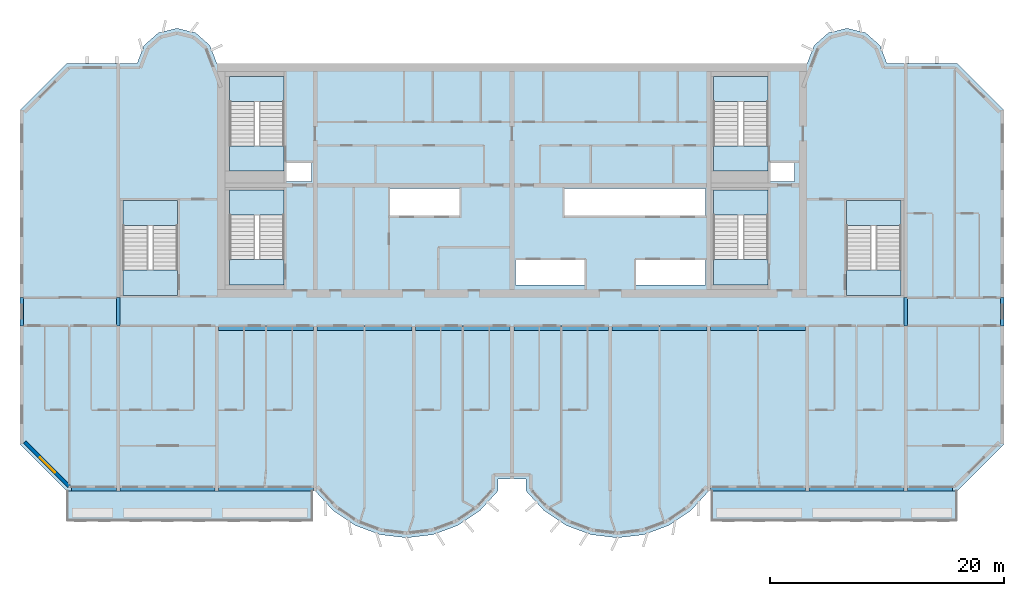
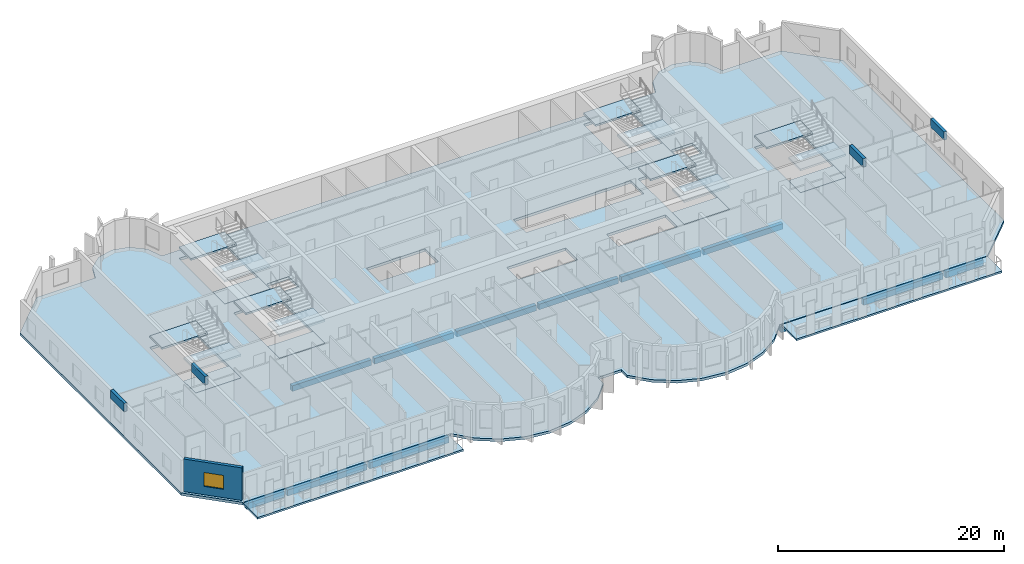
# One storey, part 1 of 13: 21 slabs, 16 beams, 1 wall, 1 window, 1 opening, 6 elements without a shape of their own.
"""IFC4 building model written with IfcOpenShell, lengths in metres."""

from ifc_helpers import new_model, si_unit, direction, frame, frame_2d, origin, origin_2d, place, context, subcontext, project, spatial, polyline, rectangle, outline, extrude, source, transform, mapped, material, layer, layer_set, material_profile, profile_set, type_object, element, fill, aggregate, save


model = new_model("IFC4")

# Units and contexts
model_context = context("Model", 3, precision=1e-05, world=origin(), true_north=direction((0.0, 1.0)))
body_context = subcontext(model_context, "Body", "Model", "MODEL_VIEW")
ifc_project = project(units=[si_unit("LENGTHUNIT", "METRE"), si_unit("AREAUNIT", "SQUARE_METRE"), si_unit("VOLUMEUNIT", "CUBIC_METRE"), si_unit("PLANEANGLEUNIT", "RADIAN"), si_unit("MASSUNIT", "GRAM", prefix="KILO")], contexts=[model_context])

# Site, building, storey
site_placement = place(None, origin())
site = spatial("IfcSite", under=ifc_project, at=site_placement, CompositionType="ELEMENT")
building_placement = place(site_placement, origin())
building = spatial("IfcBuilding", under=site, at=building_placement, Name="Vanashikhar Sky Hotel", CompositionType="ELEMENT")
storey_placement = place(building_placement, frame((0.0, 0.0, 163.0)))
storey = spatial("IfcBuildingStorey", under=building, at=storey_placement, Name="L39", CompositionType="ELEMENT", Elevation=163.0)

# Beams
ifc_material_1 = material(Name="Concrete M50", Category="concrete")
ifc_material_profile_1 = material_profile(ifc_material_1, rectangle(XDim=0.300048828125, YDim=0.89990234375, at=origin_2d()))
ifc_profile_set_1 = profile_set([ifc_material_profile_1], Name="RC 300x900 beam Concrete M50")
beam_type_1 = type_object("IfcBeamType", Name="RC 300x900 beam Concrete M50", PredefinedType="LINTEL", material=ifc_profile_set_1)
shared_shape_1 = source(origin(), body_context, "Body", "SweptSolid", [
    extrude(rectangle(XDim=0.300048828125, YDim=0.89990234375, at=origin_2d()), origin(), (0.0, 0.0, 1.0), 2.39990234375),
])
for number, where, z_axis, x_axis, name in (
    (1, (8.550048828125, 19.60009765625, 3.070068359375), (0.0, 1.0, 0.0), (-1.0, 0.0, 0.0), "LB-L39-XW02"),
    (2, (16.800048828125, 19.60009765625, 3.070068359375), (0.0, 1.0, 0.0), (-1.0, 0.0, 0.0), "LB-L39-XW03"),
    (3, (84.0, 19.60009765625, 3.070068359375), (0.0, 1.0, 0.0), (-1.0, 0.0, 0.0), "LB-L39-XW11"),
    (4, (92.25, 19.60009765625, 3.070068359375), (0.0, 1.0, 0.0), (-1.0, 0.0, 0.0), "LB-L39-XW12"),
):
    element("IfcBeam", number, at=place(storey_placement, frame(where, z_axis=z_axis, x_axis=x_axis)), inside=storey, type_object=beam_type_1, Name=name, PredefinedType="LINTEL", context=body_context, shape_type="MappedRepresentation", body=[
        mapped(shared_shape_1, transform((0.0, 0.0, 0.0), scale=1.0)),
    ])
ifc_material_profile_2 = material_profile(ifc_material_1, rectangle(XDim=0.39990234375, YDim=0.64990234375, at=origin_2d()))
ifc_profile_set_2 = profile_set([ifc_material_profile_2], Name="RC 400x650 beam Concrete M50")
beam_type_2 = type_object("IfcBeamType", Name="RC 400x650 beam Concrete M50", PredefinedType="BEAM", material=ifc_profile_set_2)
shared_shape_2 = source(origin(), body_context, "Body", "SweptSolid", [
    extrude(rectangle(XDim=0.39990234375, YDim=0.64990234375, at=origin_2d()), origin(), (0.0, 0.0, 1.0), 8.10009765625),
])
for number, where, z_axis, x_axis, name in (
    (5, (16.949951171875, 5.699951171875, -0.60498046875), (1.0, 0.0, 0.0), (0.0, 1.0, 0.0), "EB-L39-F01"),
    (6, (75.75, 5.699951171875, -0.60498046875), (1.0, 0.0, 0.0), (0.0, 1.0, 0.0), "EB-L39-F05"),
):
    element("IfcBeam", number, at=place(storey_placement, frame(where, z_axis=z_axis, x_axis=x_axis)), inside=storey, type_object=beam_type_2, Name=name, PredefinedType="BEAM", context=body_context, shape_type="MappedRepresentation", body=[
        mapped(shared_shape_2, transform((0.0, 0.0, 0.0), scale=1.0)),
    ])
shared_shape_3 = source(origin(), body_context, "Body", "SweptSolid", [
    extrude(rectangle(XDim=0.39990234375, YDim=0.64990234375, at=origin_2d()), origin(), (0.0, 0.0, 1.0), 8.099853515625),
])
for number, where, z_axis, x_axis, name in (
    (7, (25.35009765625, 5.699951171875, -0.60498046875), (1.0, 0.0, 0.0), (0.0, 1.0, 0.0), "EB-L39-F02"),
    (8, (67.35009765625, 5.699951171875, -0.60498046875), (1.0, 0.0, 0.0), (0.0, 1.0, 0.0), "EB-L39-F04"),
):
    element("IfcBeam", number, at=place(storey_placement, frame(where, z_axis=z_axis, x_axis=x_axis)), inside=storey, type_object=beam_type_2, Name=name, PredefinedType="BEAM", context=body_context, shape_type="MappedRepresentation", body=[
        mapped(shared_shape_3, transform((0.0, 0.0, 0.0), scale=1.0)),
    ])
ifc_material_profile_3 = material_profile(ifc_material_1, rectangle(XDim=0.39990234375, YDim=0.64990234375, at=origin_2d()))
ifc_profile_set_3 = profile_set([ifc_material_profile_3], Name="RC 400x650 cantilever beam Concrete M50")
beam_type_3 = type_object("IfcBeamType", Name="RC 400x650 cantilever beam Concrete M50", PredefinedType="SPANDREL", material=ifc_profile_set_3)
shared_shape_4 = source(origin(), body_context, "Body", "SweptSolid", [
    extrude(rectangle(XDim=0.39990234375, YDim=0.64990234375, at=origin_2d()), origin(), (0.0, 0.0, 1.0), 3.849853515625),
])
beam_1_placement = place(storey_placement, frame((12.800048828125, 5.699951171875, -0.60498046875), z_axis=(1.0, 0.0, 0.0), x_axis=(0.0, 1.0, 0.0)))
element("IfcBeam", 9, at=beam_1_placement, inside=storey, type_object=beam_type_3, Name="EB-L39-F03", PredefinedType="SPANDREL", context=body_context, shape_type="MappedRepresentation", body=[
    mapped(shared_shape_4, transform((0.0, 0.0, 0.0), scale=1.0)),
])
shared_shape_5 = source(origin(), body_context, "Body", "SweptSolid", [
    extrude(rectangle(XDim=0.39990234375, YDim=0.64990234375, at=origin_2d()), origin(), (0.0, 0.0, 1.0), 3.85009765625),
])
beam_2_placement = place(storey_placement, frame((84.14990234375, 5.699951171875, -0.60498046875), z_axis=(1.0, 0.0, 0.0), x_axis=(0.0, 1.0, 0.0)))
element("IfcBeam", 10, at=beam_2_placement, inside=storey, type_object=beam_type_3, Name="EB-L39-F06", PredefinedType="SPANDREL", context=body_context, shape_type="MappedRepresentation", body=[
    mapped(shared_shape_5, transform((0.0, 0.0, 0.0), scale=1.0)),
])
ifc_material_profile_4 = material_profile(ifc_material_1, rectangle(XDim=0.39990234375, YDim=0.60009765625, at=origin_2d()))
ifc_profile_set_4 = profile_set([ifc_material_profile_4], Name="RC 400x600 beam Concrete M50")
beam_type_4 = type_object("IfcBeamType", Name="RC 400x600 beam Concrete M50", PredefinedType="BEAM", material=ifc_profile_set_4)
shared_shape_6 = source(origin(), body_context, "Body", "SweptSolid", [
    extrude(rectangle(XDim=0.39990234375, YDim=0.60009765625, at=origin_2d()), origin(), (0.0, 0.0, 1.0), 8.099853515625),
])
for number, where, z_axis, x_axis, name in (
    (11, (25.35009765625, 19.39990234375, -0.580078125), (1.0, 0.0, 0.0), (0.0, 1.0, 0.0), "CB-L39-01"),
    (12, (50.550048828125, 19.39990234375, -0.580078125), (1.0, 0.0, 0.0), (0.0, 1.0, 0.0), "CB-L39-04"),
    (13, (67.35009765625, 19.39990234375, -0.580078125), (1.0, 0.0, 0.0), (0.0, 1.0, 0.0), "CB-L39-06"),
):
    element("IfcBeam", number, at=place(storey_placement, frame(where, z_axis=z_axis, x_axis=x_axis)), inside=storey, type_object=beam_type_4, Name=name, PredefinedType="BEAM", context=body_context, shape_type="MappedRepresentation", body=[
        mapped(shared_shape_6, transform((0.0, 0.0, 0.0), scale=1.0)),
    ])
shared_shape_7 = source(origin(), body_context, "Body", "SweptSolid", [
    extrude(rectangle(XDim=0.39990234375, YDim=0.60009765625, at=origin_2d()), origin(), (0.0, 0.0, 1.0), 8.10009765625),
])
for number, where, z_axis, x_axis, name in (
    (14, (33.75, 19.39990234375, -0.580078125), (1.0, 0.0, 0.0), (0.0, 1.0, 0.0), "CB-L39-02"),
    (15, (42.14990234375, 19.39990234375, -0.580078125), (1.0, 0.0, 0.0), (0.0, 1.0, 0.0), "CB-L39-03"),
    (16, (58.949951171875, 19.39990234375, -0.580078125), (1.0, 0.0, 0.0), (0.0, 1.0, 0.0), "CB-L39-05"),
):
    element("IfcBeam", number, at=place(storey_placement, frame(where, z_axis=z_axis, x_axis=x_axis)), inside=storey, type_object=beam_type_4, Name=name, PredefinedType="BEAM", context=body_context, shape_type="MappedRepresentation", body=[
        mapped(shared_shape_7, transform((0.0, 0.0, 0.0), scale=1.0)),
    ])

# Slabs
ifc_material_2 = material(Name="Concrete M40", Category="concrete")
ifc_layer_1 = layer(ifc_material_2, 0.280029296875)
ifc_layer_set_1 = layer_set([ifc_layer_1], Name="Floor slab 280 mm")
slab_type_1 = type_object("IfcSlabType", Name="Floor slab 280 mm", PredefinedType="FLOOR", material=ifc_layer_set_1)
shared_shape_8 = source(origin(), body_context, "Body", "SweptSolid", [
    extrude(outline(polyline([(49.199951171875, 5.5), (49.199951171875, 6.5), (51.60009765625, 6.5), (51.60009765625, 5.5), (53.133056640625, 3.825927734375), (55.01708984375, 2.55810546875), (57.14599609375, 1.76806640625), (59.39990234375, 1.5), (61.654052734375, 1.76806640625), (63.782958984375, 2.55810546875), (65.6669921875, 3.825927734375), (67.199951171875, 5.5), (88.39990234375, 5.5), (92.39990234375, 9.5), (92.39990234375, 38.0), (88.39990234375, 42.0), (82.39990234375, 42.0), (81.81494140625, 43.527099609375), (80.587890625, 44.610107421875), (79.0, 45.0), (77.412109375, 44.610107421875), (76.18505859375, 43.527099609375), (75.60009765625, 42.0), (25.199951171875, 42.0), (24.614990234375, 43.527099609375), (23.387939453125, 44.610107421875), (21.800048828125, 45.0), (20.2119140625, 44.610107421875), (18.985107421875, 43.527099609375), (18.39990234375, 42.0), (12.39990234375, 42.0), (8.39990234375, 38.0), (8.39990234375, 9.5), (12.39990234375, 5.5), (33.60009765625, 5.5), (35.133056640625, 3.825927734375), (37.01708984375, 2.55810546875), (39.14599609375, 1.76806640625), (41.39990234375, 1.5), (43.654052734375, 1.76806640625), (45.782958984375, 2.55810546875), (47.6669921875, 3.825927734375), (49.199951171875, 5.5)]), holes=[polyline([(33.300048828125, 33.60009765625), (31.050048828125, 33.60009765625), (31.050048828125, 31.89990234375), (33.300048828125, 31.89990234375), (33.300048828125, 33.60009765625)]), polyline([(39.89990234375, 31.300048828125), (39.89990234375, 29.0), (45.89990234375, 29.0), (45.89990234375, 31.300048828125), (39.89990234375, 31.300048828125)]), polyline([(50.699951171875, 25.199951171875), (50.699951171875, 23.10009765625), (56.699951171875, 23.10009765625), (56.699951171875, 25.199951171875), (50.699951171875, 25.199951171875)]), polyline([(66.89990234375, 29.0), (66.89990234375, 31.300048828125), (54.89990234375, 31.300048828125), (54.89990234375, 29.0), (66.89990234375, 29.0)]), polyline([(60.89990234375, 25.199951171875), (60.89990234375, 23.10009765625), (66.89990234375, 23.10009765625), (66.89990234375, 25.199951171875), (60.89990234375, 25.199951171875)]), polyline([(74.5, 33.60009765625), (72.35009765625, 33.60009765625), (72.35009765625, 31.89990234375), (74.5, 31.89990234375), (74.5, 33.60009765625)]), polyline([(30.949951171875, 23.10009765625), (30.949951171875, 31.199951171875), (26.300048828125, 31.199951171875), (26.300048828125, 23.10009765625), (30.949951171875, 23.10009765625)]), polyline([(72.25, 23.10009765625), (72.25, 31.199951171875), (67.60009765625, 31.199951171875), (67.60009765625, 23.10009765625), (72.25, 23.10009765625)]), polyline([(30.949951171875, 32.800048828125), (30.949951171875, 40.89990234375), (26.300048828125, 40.89990234375), (26.300048828125, 32.800048828125), (30.949951171875, 32.800048828125)]), polyline([(72.25, 32.800048828125), (72.25, 40.89990234375), (67.60009765625, 40.89990234375), (67.60009765625, 32.800048828125), (72.25, 32.800048828125)]), polyline([(83.60009765625, 22.199951171875), (83.60009765625, 30.300048828125), (78.949951171875, 30.300048828125), (78.949951171875, 22.199951171875), (83.60009765625, 22.199951171875)]), polyline([(21.85009765625, 22.199951171875), (21.85009765625, 30.300048828125), (17.199951171875, 30.300048828125), (17.199951171875, 22.199951171875), (21.85009765625, 22.199951171875)])]), origin(), (0.0, 0.0, 1.0), 0.280029296875),
])
slab_1_placement = place(storey_placement, frame((0.0, 0.0, -0.280029296875)))
element("IfcSlab", 17, at=slab_1_placement, inside=storey, type_object=slab_type_1, Name="Floor slab L39", PredefinedType="FLOOR", context=body_context, shape_type="MappedRepresentation", body=[
    mapped(shared_shape_8, transform((0.0, 0.0, 0.0), scale=1.0)),
])
ifc_layer_2 = layer(ifc_material_2, 0.199951171875)
ifc_layer_set_2 = layer_set([ifc_layer_2], Name="Balcony slab 200 mm")
slab_type_2 = type_object("IfcSlabType", Name="Balcony slab 200 mm", PredefinedType="USERDEFINED", material=ifc_layer_set_2)
shared_shape_9 = source(origin(), body_context, "Body", "SweptSolid", [
    extrude(outline(polyline([(12.39990234375, 2.89990234375), (33.39990234375, 2.89990234375), (33.39990234375, 5.5), (12.39990234375, 5.5), (12.39990234375, 2.89990234375)])), origin(), (0.0, 0.0, 1.0), 0.199951171875),
])
slab_2_placement = place(storey_placement, frame((0.0, 0.0, -0.25)))
element("IfcSlab", 18, at=slab_2_placement, inside=storey, type_object=slab_type_2, Name="Balcony slab L39 1", ObjectType="BALCONY", PredefinedType="USERDEFINED", context=body_context, shape_type="MappedRepresentation", body=[
    mapped(shared_shape_9, transform((0.0, 0.0, 0.0), scale=1.0)),
])
shared_shape_10 = source(origin(), body_context, "Body", "SweptSolid", [
    extrude(outline(polyline([(67.39990234375, 2.89990234375), (88.39990234375, 2.89990234375), (88.39990234375, 5.5), (67.39990234375, 5.5), (67.39990234375, 2.89990234375)])), origin(), (0.0, 0.0, 1.0), 0.199951171875),
])
slab_3_placement = place(storey_placement, frame((0.0, 0.0, -0.25)))
element("IfcSlab", 19, at=slab_3_placement, inside=storey, type_object=slab_type_2, Name="Balcony slab L39 2", ObjectType="BALCONY", PredefinedType="USERDEFINED", context=body_context, shape_type="MappedRepresentation", body=[
    mapped(shared_shape_10, transform((0.0, 0.0, 0.0), scale=1.0)),
])

# Stair, slabs
stair_type = type_object("IfcStairType", Name="Exit stair 2150", PredefinedType="DOUBLE_RETURN_STAIR", material=ifc_material_2)
stair_1_placement = place(storey_placement, origin())
stair_1 = element("IfcStair", 20, at=stair_1_placement, inside=storey, type_object=stair_type, Name="L39 Exit stair 1", PredefinedType="DOUBLE_RETURN_STAIR")
ifc_layer_3 = layer(ifc_material_2, 0.199951171875)
ifc_layer_set_3 = layer_set([ifc_layer_3], Name="Stair landing 200")
slab_type_3 = type_object("IfcSlabType", Name="Stair landing 200", PredefinedType="LANDING", material=ifc_layer_set_3)
shared_shape_11 = source(origin(), body_context, "Body", "SweptSolid", [
    extrude(outline(polyline([(30.949951171875, 29.050048828125), (30.949951171875, 31.199951171875), (26.300048828125, 31.199951171875), (26.300048828125, 29.050048828125), (30.949951171875, 29.050048828125)])), origin(), (0.0, 0.0, 1.0), 0.199951171875),
])
slab_4_placement = place(storey_placement, frame((0.0, 0.0, 1.066650390625)))
slab_4 = element("IfcSlab", 21, at=slab_4_placement, type_object=slab_type_3, Name="ST-C1 landing 1", PredefinedType="LANDING", context=body_context, shape_type="MappedRepresentation", body=[
    mapped(shared_shape_11, transform((0.0, 0.0, 0.0), scale=1.0)),
])
shared_shape_12 = source(origin(), body_context, "Body", "SweptSolid", [
    extrude(outline(polyline([(30.949951171875, 23.10009765625), (30.949951171875, 25.25), (26.300048828125, 25.25), (26.300048828125, 23.10009765625), (30.949951171875, 23.10009765625)])), origin(), (0.0, 0.0, 1.0), 0.2001953125),
])
slab_5_placement = place(storey_placement, frame((0.0, 0.0, 2.333251953125)))
slab_5 = element("IfcSlab", 22, at=slab_5_placement, type_object=slab_type_3, Name="ST-C1 landing 2", PredefinedType="LANDING", context=body_context, shape_type="MappedRepresentation", body=[
    mapped(shared_shape_12, transform((0.0, 0.0, 0.0), scale=1.0)),
])
aggregate(stair_1, [slab_4, slab_5])

# Slab
ifc_layer_4 = layer(ifc_material_2, 0.280029296875)
ifc_layer_set_4 = layer_set([ifc_layer_4], Name="Stair floor landing 280")
slab_type_4 = type_object("IfcSlabType", Name="Stair floor landing 280", PredefinedType="LANDING", material=ifc_layer_set_4)
shared_shape_13 = source(origin(), body_context, "Body", "SweptSolid", [
    extrude(outline(polyline([(30.949951171875, 23.10009765625), (30.949951171875, 25.25), (26.300048828125, 25.25), (26.300048828125, 23.10009765625), (30.949951171875, 23.10009765625)])), origin(), (0.0, 0.0, 1.0), 0.280029296875),
])
slab_6_placement = place(storey_placement, frame((0.0, 0.0, -0.280029296875)))
element("IfcSlab", 23, at=slab_6_placement, inside=storey, type_object=slab_type_4, Name="Exit stair 1 floor landing", PredefinedType="LANDING", context=body_context, shape_type="MappedRepresentation", body=[
    mapped(shared_shape_13, transform((0.0, 0.0, 0.0), scale=1.0)),
])

# Stair, slabs
stair_2_placement = place(storey_placement, origin())
stair_2 = element("IfcStair", 24, at=stair_2_placement, inside=storey, type_object=stair_type, Name="L39 Exit stair 2", PredefinedType="DOUBLE_RETURN_STAIR")
shared_shape_14 = source(origin(), body_context, "Body", "SweptSolid", [
    extrude(outline(polyline([(72.25, 29.050048828125), (72.25, 31.199951171875), (67.60009765625, 31.199951171875), (67.60009765625, 29.050048828125), (72.25, 29.050048828125)])), origin(), (0.0, 0.0, 1.0), 0.199951171875),
])
slab_7_placement = place(storey_placement, frame((0.0, 0.0, 1.066650390625)))
slab_7 = element("IfcSlab", 25, at=slab_7_placement, type_object=slab_type_3, Name="ST-C2 landing 1", PredefinedType="LANDING", context=body_context, shape_type="MappedRepresentation", body=[
    mapped(shared_shape_14, transform((0.0, 0.0, 0.0), scale=1.0)),
])
shared_shape_15 = source(origin(), body_context, "Body", "SweptSolid", [
    extrude(outline(polyline([(72.25, 23.10009765625), (72.25, 25.25), (67.60009765625, 25.25), (67.60009765625, 23.10009765625), (72.25, 23.10009765625)])), origin(), (0.0, 0.0, 1.0), 0.2001953125),
])
slab_8_placement = place(storey_placement, frame((0.0, 0.0, 2.333251953125)))
slab_8 = element("IfcSlab", 26, at=slab_8_placement, type_object=slab_type_3, Name="ST-C2 landing 2", PredefinedType="LANDING", context=body_context, shape_type="MappedRepresentation", body=[
    mapped(shared_shape_15, transform((0.0, 0.0, 0.0), scale=1.0)),
])
aggregate(stair_2, [slab_7, slab_8])

# Slab
shared_shape_16 = source(origin(), body_context, "Body", "SweptSolid", [
    extrude(outline(polyline([(72.25, 23.10009765625), (72.25, 25.25), (67.60009765625, 25.25), (67.60009765625, 23.10009765625), (72.25, 23.10009765625)])), origin(), (0.0, 0.0, 1.0), 0.280029296875),
])
slab_9_placement = place(storey_placement, frame((0.0, 0.0, -0.280029296875)))
element("IfcSlab", 27, at=slab_9_placement, inside=storey, type_object=slab_type_4, Name="Exit stair 2 floor landing", PredefinedType="LANDING", context=body_context, shape_type="MappedRepresentation", body=[
    mapped(shared_shape_16, transform((0.0, 0.0, 0.0), scale=1.0)),
])

# Stair, slabs
stair_3_placement = place(storey_placement, origin())
stair_3 = element("IfcStair", 28, at=stair_3_placement, inside=storey, type_object=stair_type, Name="L39 Exit stair 3", PredefinedType="DOUBLE_RETURN_STAIR")
shared_shape_17 = source(origin(), body_context, "Body", "SweptSolid", [
    extrude(outline(polyline([(21.85009765625, 28.14990234375), (21.85009765625, 30.300048828125), (17.199951171875, 30.300048828125), (17.199951171875, 28.14990234375), (21.85009765625, 28.14990234375)])), origin(), (0.0, 0.0, 1.0), 0.199951171875),
])
slab_10_placement = place(storey_placement, frame((0.0, 0.0, 1.066650390625)))
slab_10 = element("IfcSlab", 29, at=slab_10_placement, type_object=slab_type_3, Name="ST-W landing 1", PredefinedType="LANDING", context=body_context, shape_type="MappedRepresentation", body=[
    mapped(shared_shape_17, transform((0.0, 0.0, 0.0), scale=1.0)),
])
shared_shape_18 = source(origin(), body_context, "Body", "SweptSolid", [
    extrude(outline(polyline([(21.85009765625, 22.199951171875), (21.85009765625, 24.35009765625), (17.199951171875, 24.35009765625), (17.199951171875, 22.199951171875), (21.85009765625, 22.199951171875)])), origin(), (0.0, 0.0, 1.0), 0.2001953125),
])
slab_11_placement = place(storey_placement, frame((0.0, 0.0, 2.333251953125)))
slab_11 = element("IfcSlab", 30, at=slab_11_placement, type_object=slab_type_3, Name="ST-W landing 2", PredefinedType="LANDING", context=body_context, shape_type="MappedRepresentation", body=[
    mapped(shared_shape_18, transform((0.0, 0.0, 0.0), scale=1.0)),
])
aggregate(stair_3, [slab_10, slab_11])

# Slab
shared_shape_19 = source(origin(), body_context, "Body", "SweptSolid", [
    extrude(outline(polyline([(21.85009765625, 22.199951171875), (21.85009765625, 24.35009765625), (17.199951171875, 24.35009765625), (17.199951171875, 22.199951171875), (21.85009765625, 22.199951171875)])), origin(), (0.0, 0.0, 1.0), 0.280029296875),
])
slab_12_placement = place(storey_placement, frame((0.0, 0.0, -0.280029296875)))
element("IfcSlab", 31, at=slab_12_placement, inside=storey, type_object=slab_type_4, Name="Exit stair 3 floor landing", PredefinedType="LANDING", context=body_context, shape_type="MappedRepresentation", body=[
    mapped(shared_shape_19, transform((0.0, 0.0, 0.0), scale=1.0)),
])

# Stair, slabs
stair_4_placement = place(storey_placement, origin())
stair_4 = element("IfcStair", 32, at=stair_4_placement, inside=storey, type_object=stair_type, Name="L39 Exit stair 4", PredefinedType="DOUBLE_RETURN_STAIR")
shared_shape_20 = source(origin(), body_context, "Body", "SweptSolid", [
    extrude(outline(polyline([(83.60009765625, 28.14990234375), (83.60009765625, 30.300048828125), (78.949951171875, 30.300048828125), (78.949951171875, 28.14990234375), (83.60009765625, 28.14990234375)])), origin(), (0.0, 0.0, 1.0), 0.199951171875),
])
slab_13_placement = place(storey_placement, frame((0.0, 0.0, 1.066650390625)))
slab_13 = element("IfcSlab", 33, at=slab_13_placement, type_object=slab_type_3, Name="ST-E landing 1", PredefinedType="LANDING", context=body_context, shape_type="MappedRepresentation", body=[
    mapped(shared_shape_20, transform((0.0, 0.0, 0.0), scale=1.0)),
])
shared_shape_21 = source(origin(), body_context, "Body", "SweptSolid", [
    extrude(outline(polyline([(83.60009765625, 22.199951171875), (83.60009765625, 24.35009765625), (78.949951171875, 24.35009765625), (78.949951171875, 22.199951171875), (83.60009765625, 22.199951171875)])), origin(), (0.0, 0.0, 1.0), 0.2001953125),
])
slab_14_placement = place(storey_placement, frame((0.0, 0.0, 2.333251953125)))
slab_14 = element("IfcSlab", 34, at=slab_14_placement, type_object=slab_type_3, Name="ST-E landing 2", PredefinedType="LANDING", context=body_context, shape_type="MappedRepresentation", body=[
    mapped(shared_shape_21, transform((0.0, 0.0, 0.0), scale=1.0)),
])
aggregate(stair_4, [slab_13, slab_14])

# Slab
shared_shape_22 = source(origin(), body_context, "Body", "SweptSolid", [
    extrude(outline(polyline([(83.60009765625, 22.199951171875), (83.60009765625, 24.35009765625), (78.949951171875, 24.35009765625), (78.949951171875, 22.199951171875), (83.60009765625, 22.199951171875)])), origin(), (0.0, 0.0, 1.0), 0.280029296875),
])
slab_15_placement = place(storey_placement, frame((0.0, 0.0, -0.280029296875)))
element("IfcSlab", 35, at=slab_15_placement, inside=storey, type_object=slab_type_4, Name="Exit stair 4 floor landing", PredefinedType="LANDING", context=body_context, shape_type="MappedRepresentation", body=[
    mapped(shared_shape_22, transform((0.0, 0.0, 0.0), scale=1.0)),
])

# Stair, slabs
stair_5_placement = place(storey_placement, origin())
stair_5 = element("IfcStair", 36, at=stair_5_placement, inside=storey, type_object=stair_type, Name="L39 Exit stair 5", PredefinedType="DOUBLE_RETURN_STAIR")
shared_shape_23 = source(origin(), body_context, "Body", "SweptSolid", [
    extrude(outline(polyline([(30.949951171875, 38.75), (30.949951171875, 40.89990234375), (26.300048828125, 40.89990234375), (26.300048828125, 38.75), (30.949951171875, 38.75)])), origin(), (0.0, 0.0, 1.0), 0.199951171875),
])
slab_16_placement = place(storey_placement, frame((0.0, 0.0, 1.066650390625)))
slab_16 = element("IfcSlab", 37, at=slab_16_placement, type_object=slab_type_3, Name="ST-C3 landing 1", PredefinedType="LANDING", context=body_context, shape_type="MappedRepresentation", body=[
    mapped(shared_shape_23, transform((0.0, 0.0, 0.0), scale=1.0)),
])
shared_shape_24 = source(origin(), body_context, "Body", "SweptSolid", [
    extrude(outline(polyline([(30.949951171875, 32.800048828125), (30.949951171875, 34.949951171875), (26.300048828125, 34.949951171875), (26.300048828125, 32.800048828125), (30.949951171875, 32.800048828125)])), origin(), (0.0, 0.0, 1.0), 0.2001953125),
])
slab_17_placement = place(storey_placement, frame((0.0, 0.0, 2.333251953125)))
slab_17 = element("IfcSlab", 38, at=slab_17_placement, type_object=slab_type_3, Name="ST-C3 landing 2", PredefinedType="LANDING", context=body_context, shape_type="MappedRepresentation", body=[
    mapped(shared_shape_24, transform((0.0, 0.0, 0.0), scale=1.0)),
])
aggregate(stair_5, [slab_16, slab_17])

# Slab
shared_shape_25 = source(origin(), body_context, "Body", "SweptSolid", [
    extrude(outline(polyline([(30.949951171875, 32.800048828125), (30.949951171875, 34.949951171875), (26.300048828125, 34.949951171875), (26.300048828125, 32.800048828125), (30.949951171875, 32.800048828125)])), origin(), (0.0, 0.0, 1.0), 0.280029296875),
])
slab_18_placement = place(storey_placement, frame((0.0, 0.0, -0.280029296875)))
element("IfcSlab", 39, at=slab_18_placement, inside=storey, type_object=slab_type_4, Name="Exit stair 5 floor landing", PredefinedType="LANDING", context=body_context, shape_type="MappedRepresentation", body=[
    mapped(shared_shape_25, transform((0.0, 0.0, 0.0), scale=1.0)),
])

# Stair, slabs
stair_6_placement = place(storey_placement, origin())
stair_6 = element("IfcStair", 40, at=stair_6_placement, inside=storey, type_object=stair_type, Name="L39 Exit stair 6", PredefinedType="DOUBLE_RETURN_STAIR")
shared_shape_26 = source(origin(), body_context, "Body", "SweptSolid", [
    extrude(outline(polyline([(72.25, 38.75), (72.25, 40.89990234375), (67.60009765625, 40.89990234375), (67.60009765625, 38.75), (72.25, 38.75)])), origin(), (0.0, 0.0, 1.0), 0.199951171875),
])
slab_19_placement = place(storey_placement, frame((0.0, 0.0, 1.066650390625)))
slab_19 = element("IfcSlab", 41, at=slab_19_placement, type_object=slab_type_3, Name="ST-C4 landing 1", PredefinedType="LANDING", context=body_context, shape_type="MappedRepresentation", body=[
    mapped(shared_shape_26, transform((0.0, 0.0, 0.0), scale=1.0)),
])
shared_shape_27 = source(origin(), body_context, "Body", "SweptSolid", [
    extrude(outline(polyline([(72.25, 32.800048828125), (72.25, 34.949951171875), (67.60009765625, 34.949951171875), (67.60009765625, 32.800048828125), (72.25, 32.800048828125)])), origin(), (0.0, 0.0, 1.0), 0.2001953125),
])
slab_20_placement = place(storey_placement, frame((0.0, 0.0, 2.333251953125)))
slab_20 = element("IfcSlab", 42, at=slab_20_placement, type_object=slab_type_3, Name="ST-C4 landing 2", PredefinedType="LANDING", context=body_context, shape_type="MappedRepresentation", body=[
    mapped(shared_shape_27, transform((0.0, 0.0, 0.0), scale=1.0)),
])
aggregate(stair_6, [slab_19, slab_20])

# Slab
shared_shape_28 = source(origin(), body_context, "Body", "SweptSolid", [
    extrude(outline(polyline([(72.25, 32.800048828125), (72.25, 34.949951171875), (67.60009765625, 34.949951171875), (67.60009765625, 32.800048828125), (72.25, 32.800048828125)])), origin(), (0.0, 0.0, 1.0), 0.280029296875),
])
slab_21_placement = place(storey_placement, frame((0.0, 0.0, -0.280029296875)))
element("IfcSlab", 43, at=slab_21_placement, inside=storey, type_object=slab_type_4, Name="Exit stair 6 floor landing", PredefinedType="LANDING", context=body_context, shape_type="MappedRepresentation", body=[
    mapped(shared_shape_28, transform((0.0, 0.0, 0.0), scale=1.0)),
])

# Wall, opening, window
ifc_layer_5 = layer(ifc_material_1, 0.300048828125)
ifc_layer_set_5 = layer_set([ifc_layer_5], Name="Lobe wall 300")
wall_type = type_object("IfcWallType", Name="Lobe wall 300", PredefinedType="SOLIDWALL", material=ifc_layer_set_5)
shared_shape_29 = source(origin(), body_context, "Body", "SweptSolid", [
    extrude(rectangle(XDim=5.32568359375, YDim=0.300048828125, at=frame_2d((2.662841796875, 0.0))), origin(), (0.0, 0.0, 1.0), 3.52001953125),
])
wall_placement = place(storey_placement, frame((8.800048828125, 9.665771484375, 0.0), z_axis=(0.0, 0.0, 1.0), x_axis=(0.707083859269, -0.707129702361, 0.0)))
wall = element("IfcWall", 44, at=wall_placement, inside=storey, type_object=wall_type, Name="Corner wall", PredefinedType="SOLIDWALL", context=body_context, shape_type="MappedRepresentation", body=[
    mapped(shared_shape_29, transform((0.0, 0.0, 0.0), scale=1.0)),
])
shared_shape_30 = source(origin(), body_context, "Body", "SweptSolid", [
    extrude(rectangle(XDim=1.800048828125, YDim=1.5, at=frame_2d((0.89990234375, 0.75))), frame((0.0, 0.16015625, 0.0), z_axis=(0.0, -1.0, 0.0), x_axis=(1.0, 0.0, 0.0)), (0.0, 0.0, 1.0), 0.320068359375),
])
opening_placement = place(wall_placement, frame((1.8359375, 0.0, 0.89990234375)))
opening = element("IfcOpeningElement", 45, at=opening_placement, cuts=wall, Name="Opening WN-4", PredefinedType="OPENING", context=body_context, shape_type="MappedRepresentation", body=[
    mapped(shared_shape_30, transform((0.0, 0.0, 0.0), scale=1.0)),
])
ifc_material_3 = material(Name="Glass", Category="glass")
window_type = type_object("IfcWindowType", Name="Corner window 1800 x 1500", PartitioningType="SINGLE_PANEL", PredefinedType="WINDOW", material=ifc_material_3)
shared_shape_31 = source(origin(), body_context, "Body", "SweptSolid", [
    extrude(rectangle(XDim=1.800048828125, YDim=1.5, at=frame_2d((0.89990234375, 0.75))), frame((0.0, 0.030029296875, 0.0), z_axis=(0.0, -1.0, 0.0), x_axis=(1.0, 0.0, 0.0)), (0.0, 0.0, 1.0), 0.06005859375),
])
window_placement = place(opening_placement, origin())
window = element("IfcWindow", 46, at=window_placement, inside=storey, type_object=window_type, Name="Window WN-4", OverallHeight=1.5, OverallWidth=1.800048828125, PartitioningType="SINGLE_PANEL", PredefinedType="WINDOW", context=body_context, shape_type="MappedRepresentation", body=[
    mapped(shared_shape_31, transform((0.0, 0.0, 0.0), scale=1.0)),
])
fill(opening, window)

save(model, "model.ifc")
